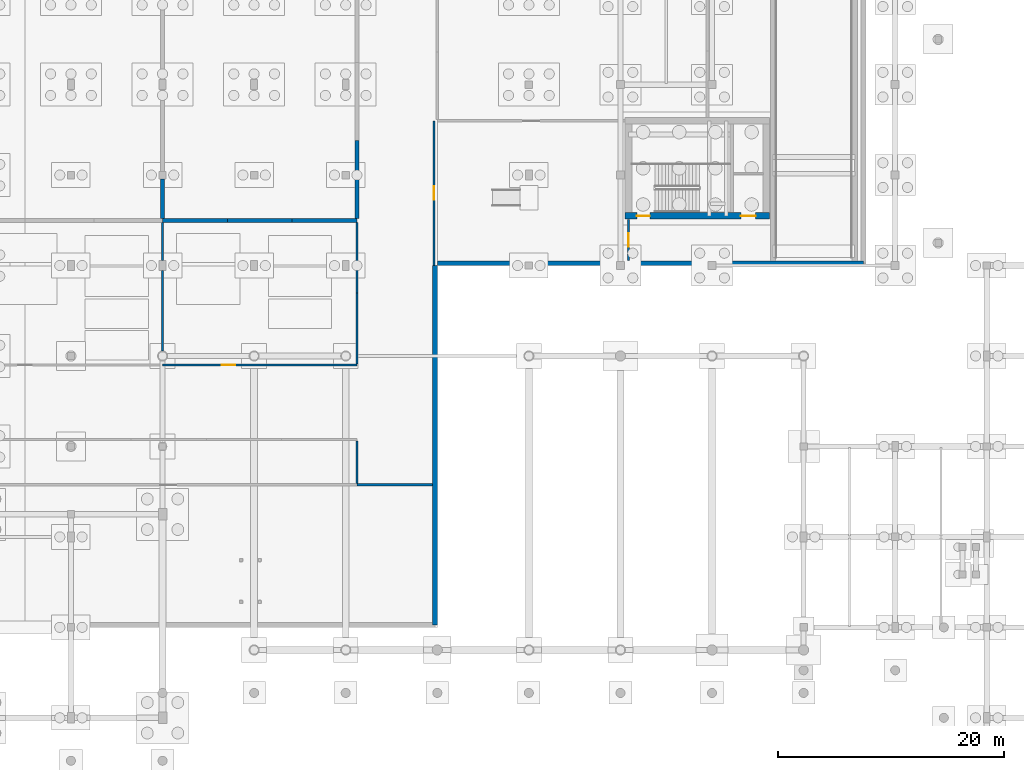
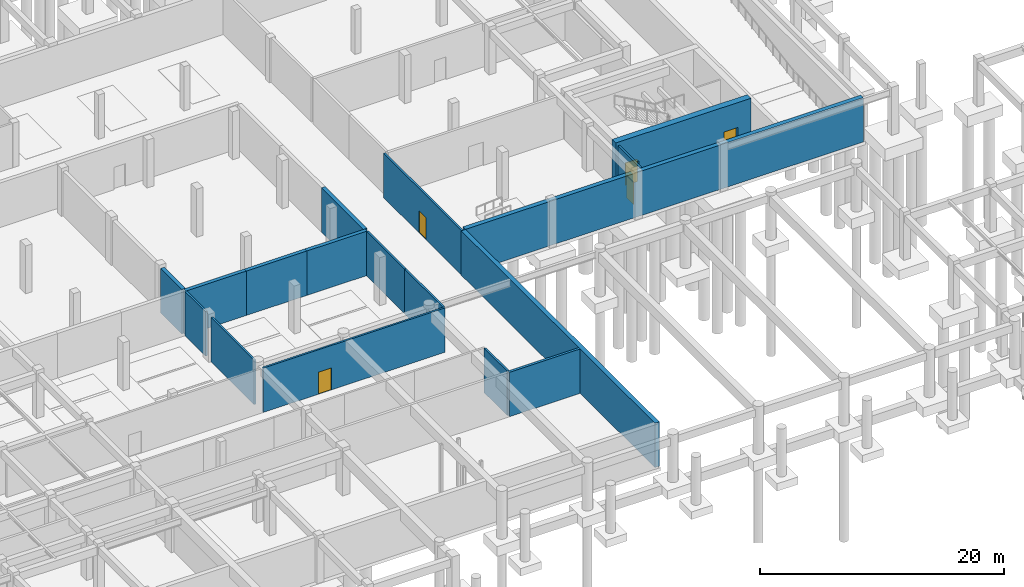
# One storey, part 15 of 25: 17 walls, 5 doors, 5 openings.
"""IFC4 building model written with IfcOpenShell, lengths in metres."""

from ifc_helpers import new_model, si_unit, direction, frame, frame_2d, origin, place, context, subcontext, project, spatial, rectangle, extrude, material, layer, layer_set, type_object, element, fill, save


model = new_model("IFC4")

# Units and contexts
model_context = context("Model", 3, precision=1e-05, world=origin(), true_north=direction((0.0, 1.0)))
body_context = subcontext(model_context, "Body", "Model", "MODEL_VIEW")
ifc_project = project(units=[si_unit("LENGTHUNIT", "METRE"), si_unit("AREAUNIT", "SQUARE_METRE"), si_unit("VOLUMEUNIT", "CUBIC_METRE"), si_unit("PLANEANGLEUNIT", "RADIAN"), si_unit("MASSUNIT", "GRAM", prefix="KILO")], contexts=[model_context])

# Site, building, storey
site_placement = place(None, origin())
site = spatial("IfcSite", under=ifc_project, at=site_placement, CompositionType="ELEMENT")
building_placement = place(site_placement, origin())
building = spatial("IfcBuilding", under=site, at=building_placement, Name="Tarnveldt Square Police Headquarters", CompositionType="ELEMENT")
storey_placement = place(building_placement, frame((0.0, 0.0, -4.800048828125)))
storey = spatial("IfcBuildingStorey", under=building, at=storey_placement, Name="B1", CompositionType="ELEMENT", Elevation=-4.800048828125)

# Wall, openings, doors
ifc_material_1 = material(Name="Concrete 50 MPa", Category="concrete")
ifc_layer_1 = layer(ifc_material_1, 0.60009765625)
ifc_layer_set_1 = layer_set([ifc_layer_1], Name="Concrete 50 MPa")
wall_type_1 = type_object("IfcWallType", Name="WL-CORE-600", PredefinedType="SHEAR", material=ifc_layer_set_1)
wall_1_placement = place(storey_placement, frame((105.699951171875, 60.39990234375, 0.0), z_axis=(0.0, 0.0, 1.0), x_axis=(1.0, 0.0, 0.0)))
wall_1 = element("IfcWall", 1, at=wall_1_placement, inside=storey, type_object=wall_type_1, Name="Core K4 East Custody and Tactical Core B1 South Shear Wall", PredefinedType="SHEAR", context=body_context, shape_type="SweptSolid", body=[
    extrude(rectangle(XDim=12.800048828125, YDim=0.60009765625, at=frame_2d((6.39990234375, 0.0))), origin(), (0.0, 0.0, 1.0), 4.800048828125),
])
opening_1_placement = place(wall_1_placement, frame((1.050048828125, 0.0, 0.0)))
opening_1 = element("IfcOpeningElement", 2, at=opening_1_placement, cuts=wall_1, Name="Opening D-ST4-B1", PredefinedType="OPENING", context=body_context, shape_type="SweptSolid", body=[
    extrude(rectangle(XDim=1.14990234375, YDim=2.25, at=frame_2d((0.574951171875, 1.125))), frame((0.0, 0.31005859375, 0.0), z_axis=(0.0, -1.0, 0.0), x_axis=(1.0, 0.0, 0.0)), (0.0, 0.0, 1.0), 0.6201171875),
])
opening_2_placement = place(wall_1_placement, frame((10.2548828125, 0.0, 0.0)))
opening_2 = element("IfcOpeningElement", 3, at=opening_2_placement, cuts=wall_1, Name="Opening LD-LS1-B1", PredefinedType="OPENING", context=body_context, shape_type="SweptSolid", body=[
    extrude(rectangle(XDim=1.300048828125, YDim=2.300048828125, at=frame_2d((0.64990234375, 1.14990234375))), frame((0.0, 0.31005859375, 0.0), z_axis=(0.0, -1.0, 0.0), x_axis=(1.0, 0.0, 0.0)), (0.0, 0.0, 1.0), 0.6201171875),
])
ifc_material_2 = material(Name="Insulated hollow metal steel door leaf", Category="steel")
door_type_1 = type_object("IfcDoorType", Name="DR-FD90-1150", OperationType="NOTDEFINED", PredefinedType="DOOR", material=ifc_material_2)
door_1_placement = place(opening_1_placement, frame((1.14990234375, 0.0, 0.0), z_axis=(0.0, 0.0, 1.0), x_axis=(-1.0, 0.0, 0.0)))
door_1 = element("IfcDoor", 4, at=door_1_placement, inside=storey, type_object=door_type_1, Name="Exit Stair ST4 B1 Fire Door", OperationType="SINGLE_SWING_LEFT", OverallHeight=2.25, OverallWidth=1.14990234375, PredefinedType="DOOR", context=body_context, shape_type="SweptSolid", body=[
    extrude(rectangle(XDim=1.14990234375, YDim=2.25, at=frame_2d((0.574951171875, 1.125))), frame((0.0, 0.02490234375, 0.0), z_axis=(0.0, -1.0, 0.0), x_axis=(1.0, 0.0, 0.0)), (0.0, 0.0, 1.0), 0.050048828125),
])
fill(opening_1, door_1)
ifc_material_3 = material(Name="Steel 350W", Category="steel")
door_type_2 = type_object("IfcDoorType", Name="DR-LD-1300", OperationType="DOUBLE_DOOR_SLIDING", PredefinedType="DOOR", material=ifc_material_3)
door_2_placement = place(opening_2_placement, frame((1.300048828125, 0.0, 0.0), z_axis=(0.0, 0.0, 1.0), x_axis=(-1.0, 0.0, 0.0)))
door_2 = element("IfcDoor", 5, at=door_2_placement, inside=storey, type_object=door_type_2, Name="Elevator LS1 B1 Sliding Landing Door", OperationType="DOUBLE_DOOR_SLIDING", OverallHeight=2.300048828125, OverallWidth=1.300048828125, PredefinedType="DOOR", context=body_context, shape_type="SweptSolid", body=[
    extrude(rectangle(XDim=1.300048828125, YDim=2.300048828125, at=frame_2d((0.64990234375, 1.14990234375))), frame((0.0, 0.02490234375, 0.0), z_axis=(0.0, -1.0, 0.0), x_axis=(1.0, 0.0, 0.0)), (0.0, 0.0, 1.0), 0.050048828125),
])
fill(opening_2, door_2)

# Walls
ifc_material_4 = material(Name="Concrete 40 MPa", Category="concrete")
ifc_layer_2 = layer(ifc_material_4, 0.35009765625)
ifc_layer_set_2 = layer_set([ifc_layer_2], Name="Concrete 40 MPa")
wall_type_2 = type_object("IfcWallType", Name="WL-CUST-350", PredefinedType="SOLIDWALL", material=ifc_layer_set_2)
wall_2_placement = place(storey_placement, frame((64.800048828125, 60.0, 0.0), z_axis=(0.0, 0.0, 1.0), x_axis=(1.0, 0.0, 0.0)))
element("IfcWall", 6, at=wall_2_placement, inside=storey, type_object=wall_type_2, Name="B1 Interior Partition Wall 0045", PredefinedType="SOLIDWALL", context=body_context, shape_type="SweptSolid", body=[
    extrude(rectangle(XDim=5.7333984375, YDim=0.35009765625, at=frame_2d((2.86669921875, 0.0))), origin(), (0.0, 0.0, 1.0), 4.449951171875),
])
wall_3_placement = place(storey_placement, frame((70.533447265625, 60.0, 0.0), z_axis=(0.0, 0.0, 1.0), x_axis=(1.0, 0.0, 0.0)))
element("IfcWall", 7, at=wall_3_placement, inside=storey, type_object=wall_type_2, Name="B1 Interior Partition Wall 0046", PredefinedType="SOLIDWALL", context=body_context, shape_type="SweptSolid", body=[
    extrude(rectangle(XDim=5.733154296875, YDim=0.35009765625, at=frame_2d((2.86669921875, 0.0))), origin(), (0.0, 0.0, 1.0), 4.449951171875),
])
wall_4_placement = place(storey_placement, frame((76.2666015625, 60.0, 0.0), z_axis=(0.0, 0.0, 1.0), x_axis=(1.0, 0.0, 0.0)))
element("IfcWall", 8, at=wall_4_placement, inside=storey, type_object=wall_type_2, Name="B1 Interior Partition Wall 0047", PredefinedType="SOLIDWALL", context=body_context, shape_type="SweptSolid", body=[
    extrude(rectangle(XDim=5.7333984375, YDim=0.35009765625, at=frame_2d((2.86669921875, 0.0))), origin(), (0.0, 0.0, 1.0), 4.449951171875),
])
wall_5_placement = place(storey_placement, frame((64.800048828125, 60.18310546875, 0.0), z_axis=(0.0, 0.0, 1.0), x_axis=(0.0, 1.0, 0.0)))
element("IfcWall", 9, at=wall_5_placement, inside=storey, type_object=wall_type_2, Name="B1 Interior Partition Wall 0080", PredefinedType="SOLIDWALL", context=body_context, shape_type="SweptSolid", body=[
    extrude(rectangle(XDim=3.48388671875, YDim=0.35009765625, at=frame_2d((1.741943359375, 0.0))), origin(), (0.0, 0.0, 1.0), 4.449951171875),
])
wall_6_placement = place(storey_placement, frame((82.0, 60.18310546875, 0.0), z_axis=(0.0, 0.0, 1.0), x_axis=(0.0, 1.0, 0.0)))
element("IfcWall", 10, at=wall_6_placement, inside=storey, type_object=wall_type_2, Name="B1 Interior Partition Wall 0088", PredefinedType="SOLIDWALL", context=body_context, shape_type="SweptSolid", body=[
    extrude(rectangle(XDim=6.8779296875, YDim=0.35009765625, at=frame_2d((3.43896484375, 0.0))), origin(), (0.0, 0.0, 1.0), 4.449951171875),
])

# Wall, opening, door
ifc_material_5 = material(Name="Fire-rated Type X gypsum board on steel studs", Category="steel")
ifc_layer_3 = layer(ifc_material_5, 0.179931640625)
ifc_layer_set_3 = layer_set([ifc_layer_3], Name="Fire-rated Type X gypsum board on steel studs")
wall_type_3 = type_object("IfcWallType", Name="WL-FIRE-180", PredefinedType="PARTITIONING", material=ifc_layer_set_3)
wall_7_placement = place(storey_placement, frame((64.800048828125, 47.199951171875, 0.0), z_axis=(0.0, 0.0, 1.0), x_axis=(1.0, 0.0, 0.0)))
wall_7 = element("IfcWall", 11, at=wall_7_placement, inside=storey, type_object=wall_type_3, Name="B1 Interior Partition Wall 0044", PredefinedType="PARTITIONING", context=body_context, shape_type="SweptSolid", body=[
    extrude(rectangle(XDim=17.199951171875, YDim=0.179931640625, at=frame_2d((8.60009765625, 0.0))), origin(), (0.0, 0.0, 1.0), 4.449951171875),
])
opening_3_placement = place(wall_7_placement, frame((5.248046875, 0.0, 0.0)))
opening_3 = element("IfcOpeningElement", 12, at=opening_3_placement, cuts=wall_7, Name="Opening D16", PredefinedType="OPENING", context=body_context, shape_type="SweptSolid", body=[
    extrude(rectangle(XDim=1.199951171875, YDim=2.199951171875, at=frame_2d((0.60009765625, 1.10009765625))), frame((0.0, 0.099853515625, 0.0), z_axis=(0.0, -1.0, 0.0), x_axis=(1.0, 0.0, 0.0)), (0.0, 0.0, 1.0), 0.199951171875),
])
door_type_3 = type_object("IfcDoorType", Name="DR-FD60-1200", OperationType="NOTDEFINED", PredefinedType="DOOR", material=ifc_material_2)
door_3_placement = place(opening_3_placement, origin())
door_3 = element("IfcDoor", 13, at=door_3_placement, inside=storey, type_object=door_type_3, Name="Armoured ERT Vehicle Bay Door", OperationType="SINGLE_SWING_LEFT", OverallHeight=2.199951171875, OverallWidth=1.199951171875, PredefinedType="DOOR", context=body_context, shape_type="SweptSolid", body=[
    extrude(rectangle(XDim=1.199951171875, YDim=2.199951171875, at=frame_2d((0.60009765625, 1.10009765625))), frame((0.0, 0.02490234375, 0.0), z_axis=(0.0, -1.0, 0.0), x_axis=(1.0, 0.0, 0.0)), (0.0, 0.0, 1.0), 0.050048828125),
])
fill(opening_3, door_3)

# Walls
wall_8_placement = place(storey_placement, frame((64.800048828125, 48.4580078125, 0.0), z_axis=(0.0, 0.0, 1.0), x_axis=(0.0, 1.0, 0.0)))
element("IfcWall", 14, at=wall_8_placement, inside=storey, type_object=wall_type_3, Name="B1 Interior Partition Wall 0078", PredefinedType="PARTITIONING", context=body_context, shape_type="SweptSolid", body=[
    extrude(rectangle(XDim=7.083984375, YDim=0.179931640625, at=frame_2d((3.5419921875, 0.0))), origin(), (0.0, 0.0, 1.0), 4.449951171875),
])
wall_9_placement = place(storey_placement, frame((64.800048828125, 56.4580078125, 0.0), z_axis=(0.0, 0.0, 1.0), x_axis=(0.0, 1.0, 0.0)))
element("IfcWall", 15, at=wall_9_placement, inside=storey, type_object=wall_type_3, Name="B1 Interior Partition Wall 0079", PredefinedType="PARTITIONING", context=body_context, shape_type="SweptSolid", body=[
    extrude(rectangle(XDim=3.35888671875, YDim=0.179931640625, at=frame_2d((1.679443359375, 0.0))), origin(), (0.0, 0.0, 1.0), 4.449951171875),
])
wall_10_placement = place(storey_placement, frame((82.0, 36.72802734375, 0.0), z_axis=(0.0, 0.0, 1.0), x_axis=(0.0, 1.0, 0.0)))
element("IfcWall", 16, at=wall_10_placement, inside=storey, type_object=wall_type_3, Name="B1 Interior Partition Wall 0085", PredefinedType="PARTITIONING", context=body_context, shape_type="SweptSolid", body=[
    extrude(rectangle(XDim=3.77392578125, YDim=0.179931640625, at=frame_2d((1.886962890625, 0.0))), origin(), (0.0, 0.0, 1.0), 4.449951171875),
])
wall_11_placement = place(storey_placement, frame((82.0, 47.298095703125, 0.0), z_axis=(0.0, 0.0, 1.0), x_axis=(0.0, 1.0, 0.0)))
element("IfcWall", 17, at=wall_11_placement, inside=storey, type_object=wall_type_3, Name="B1 Interior Partition Wall 0086", PredefinedType="PARTITIONING", context=body_context, shape_type="SweptSolid", body=[
    extrude(rectangle(XDim=6.259521484375, YDim=0.179931640625, at=frame_2d((3.1298828125, 0.0))), origin(), (0.0, 0.0, 1.0), 4.449951171875),
])
wall_12_placement = place(storey_placement, frame((82.0, 53.5576171875, 0.0), z_axis=(0.0, 0.0, 1.0), x_axis=(0.0, 1.0, 0.0)))
element("IfcWall", 18, at=wall_12_placement, inside=storey, type_object=wall_type_3, Name="B1 Interior Partition Wall 0087", PredefinedType="PARTITIONING", context=body_context, shape_type="SweptSolid", body=[
    extrude(rectangle(XDim=6.25927734375, YDim=0.179931640625, at=frame_2d((3.129638671875, 0.0))), origin(), (0.0, 0.0, 1.0), 4.449951171875),
])

# Wall, opening, door
wall_13_placement = place(storey_placement, frame((88.800048828125, 56.0, 0.0), z_axis=(0.0, 0.0, 1.0), x_axis=(0.0, 1.0, 0.0)))
wall_13 = element("IfcWall", 19, at=wall_13_placement, inside=storey, type_object=wall_type_3, Name="B1 Interior Partition Wall 0091", PredefinedType="PARTITIONING", context=body_context, shape_type="SweptSolid", body=[
    extrude(rectangle(XDim=12.800048828125, YDim=0.179931640625, at=frame_2d((6.39990234375, 0.0))), origin(), (0.0, 0.0, 1.0), 4.449951171875),
])
opening_4_placement = place(wall_13_placement, frame((5.800048828125, 0.0, 0.0)))
opening_4 = element("IfcOpeningElement", 20, at=opening_4_placement, cuts=wall_13, Name="Opening D16", PredefinedType="OPENING", context=body_context, shape_type="SweptSolid", body=[
    extrude(rectangle(XDim=1.199951171875, YDim=2.199951171875, at=frame_2d((0.60009765625, 1.10009765625))), frame((0.0, 0.099853515625, 0.0), z_axis=(0.0, -1.0, 0.0), x_axis=(1.0, 0.0, 0.0)), (0.0, 0.0, 1.0), 0.199951171875),
])
door_4_placement = place(opening_4_placement, frame((1.199951171875, 0.0, 0.0), z_axis=(0.0, 0.0, 1.0), x_axis=(-1.0, 0.0, 0.0)))
door_4 = element("IfcDoor", 21, at=door_4_placement, inside=storey, type_object=door_type_3, Name="Basement Core K4 East Corridor Door", OperationType="SINGLE_SWING_LEFT", OverallHeight=2.199951171875, OverallWidth=1.199951171875, PredefinedType="DOOR", context=body_context, shape_type="SweptSolid", body=[
    extrude(rectangle(XDim=1.199951171875, YDim=2.199951171875, at=frame_2d((0.60009765625, 1.10009765625))), frame((0.0, 0.02490234375, 0.0), z_axis=(0.0, -1.0, 0.0), x_axis=(1.0, 0.0, 0.0)), (0.0, 0.0, 1.0), 0.050048828125),
])
fill(opening_4, door_4)

wall_14_placement = place(storey_placement, frame((106.0, 56.427978515625, 0.0), z_axis=(0.0, 0.0, 1.0), x_axis=(0.0, 1.0, 0.0)))
wall_14 = element("IfcWall", 22, at=wall_14_placement, inside=storey, type_object=wall_type_3, Name="B1 Interior Partition Wall 0096", PredefinedType="PARTITIONING", context=body_context, shape_type="SweptSolid", body=[
    extrude(rectangle(XDim=3.6640625, YDim=0.179931640625, at=frame_2d((1.83203125, 0.0))), origin(), (0.0, 0.0, 1.0), 4.449951171875),
])
opening_5_placement = place(wall_14_placement, frame((1.23193359375, 0.0, 0.0)))
opening_5 = element("IfcOpeningElement", 23, at=opening_5_placement, cuts=wall_14, Name="Opening D16", PredefinedType="OPENING", context=body_context, shape_type="SweptSolid", body=[
    extrude(rectangle(XDim=1.199951171875, YDim=2.199951171875, at=frame_2d((0.60009765625, 1.10009765625))), frame((0.0, 0.099853515625, 0.0), z_axis=(0.0, -1.0, 0.0), x_axis=(1.0, 0.0, 0.0)), (0.0, 0.0, 1.0), 0.199951171875),
])
door_5_placement = place(opening_5_placement, origin())
door_5 = element("IfcDoor", 24, at=door_5_placement, inside=storey, type_object=door_type_3, Name="Core Lift Lobby K4-B1 Door", OperationType="SINGLE_SWING_RIGHT", OverallHeight=2.199951171875, OverallWidth=1.199951171875, PredefinedType="DOOR", context=body_context, shape_type="SweptSolid", body=[
    extrude(rectangle(XDim=1.199951171875, YDim=2.199951171875, at=frame_2d((0.60009765625, 1.10009765625))), frame((0.0, 0.02490234375, 0.0), z_axis=(0.0, -1.0, 0.0), x_axis=(1.0, 0.0, 0.0)), (0.0, 0.0, 1.0), 0.050048828125),
])
fill(opening_5, door_5)

# Walls
ifc_material_6 = material(Name="Concrete block masonry 15 MPa", Category="masonry")
ifc_layer_4 = layer(ifc_material_6, 0.239990234375)
ifc_layer_set_4 = layer_set([ifc_layer_4], Name="Concrete block masonry 15 MPa")
wall_type_4 = type_object("IfcWallType", Name="WL-FIRE-240", PredefinedType="PARTITIONING", material=ifc_layer_set_4)
wall_15_placement = place(storey_placement, frame((82.0, 36.60009765625, 0.0), z_axis=(0.0, 0.0, 1.0), x_axis=(1.0, 0.0, 0.0)))
element("IfcWall", 25, at=wall_15_placement, inside=storey, type_object=wall_type_4, Name="B1 Interior Partition Wall 0049", PredefinedType="PARTITIONING", context=body_context, shape_type="SweptSolid", body=[
    extrude(rectangle(XDim=6.672119140625, YDim=0.239990234375, at=frame_2d((3.3359375, 0.0))), origin(), (0.0, 0.0, 1.0), 4.449951171875),
])
ifc_layer_5 = layer(ifc_material_4, 0.419921875)
ifc_layer_set_5 = layer_set([ifc_layer_5], Name="Concrete 40 MPa")
wall_type_5 = type_object("IfcWallType", Name="WL-RET-420", PredefinedType="USERDEFINED", material=ifc_layer_set_5)
wall_16_placement = place(storey_placement, frame((126.7900390625, 56.2099609375, 0.0), z_axis=(0.0, 0.0, 1.0), x_axis=(-1.0, 0.0, 0.0)))
element("IfcWall", 26, at=wall_16_placement, inside=storey, type_object=wall_type_5, Name="Basement Perimeter Retaining Wall 23", ObjectType="RETAINING WALL", PredefinedType="USERDEFINED", context=body_context, shape_type="SweptSolid", body=[
    extrude(rectangle(XDim=37.68994140625, YDim=0.419921875, at=frame_2d((18.844970703125, 0.0))), origin(), (0.0, 0.0, 1.0), 4.449951171875),
])
wall_17_placement = place(storey_placement, frame((88.889892578125, 56.0, 0.0), z_axis=(0.0, 0.0, 1.0), x_axis=(0.0, -1.0, 0.0)))
element("IfcWall", 27, at=wall_17_placement, inside=storey, type_object=wall_type_5, Name="Basement Perimeter Retaining Wall 40", ObjectType="RETAINING WALL", PredefinedType="USERDEFINED", context=body_context, shape_type="SweptSolid", body=[
    extrude(rectangle(XDim=31.7900390625, YDim=0.419921875, at=frame_2d((15.89501953125, 0.0))), origin(), (0.0, 0.0, 1.0), 4.449951171875),
])

save(model, "model.ifc")
